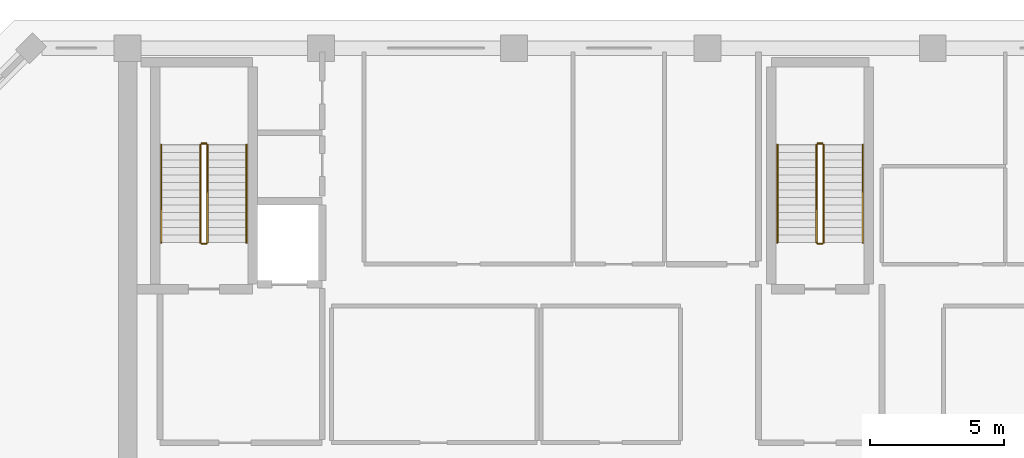
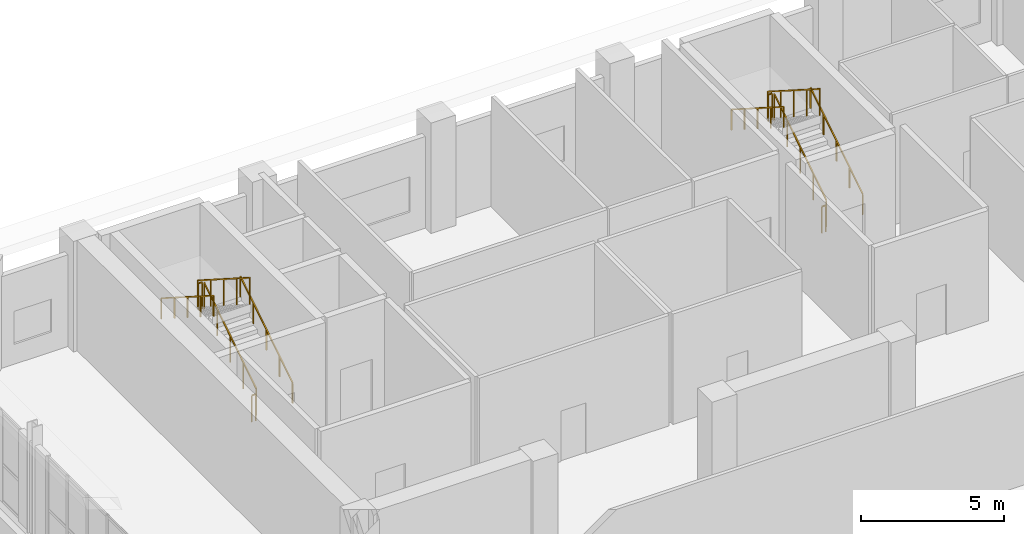
# One storey, part 35 of 36: 12 railings.
"""IFC4 building model written with IfcOpenShell, lengths in metres."""

from ifc_helpers import new_model, si_unit, direction, frame, origin, origin_2d, place, context, subcontext, project, spatial, rectangle, extrude, material, type_object, element, save


model = new_model("IFC4")

# Units and contexts
model_context = context("Model", 3, precision=1e-05, world=origin(), true_north=direction((0.0, 1.0)))
body_context = subcontext(model_context, "Body", "Model", "MODEL_VIEW")
ifc_project = project(units=[si_unit("LENGTHUNIT", "METRE"), si_unit("AREAUNIT", "SQUARE_METRE"), si_unit("VOLUMEUNIT", "CUBIC_METRE"), si_unit("PLANEANGLEUNIT", "RADIAN"), si_unit("MASSUNIT", "GRAM", prefix="KILO")], contexts=[model_context])

# Site, building, storey
site_placement = place(None, origin())
site = spatial("IfcSite", under=ifc_project, at=site_placement, CompositionType="ELEMENT")
building_placement = place(site_placement, origin())
building = spatial("IfcBuilding", under=site, at=building_placement, Name="Kaelvorn Grand Hotel", CompositionType="ELEMENT")
storey_placement = place(building_placement, frame((0.0, 0.0, 305.699951171875)))
storey = spatial("IfcBuildingStorey", under=building, at=storey_placement, Name="L74", CompositionType="ELEMENT", Elevation=305.699951171875)

# Railings
ifc_material = material(Name="Stainless Steel", Category="steel")
railing_type_1 = type_object("IfcRailingType", Name="RL-HANDRAIL-900", PredefinedType="HANDRAIL", material=ifc_material)
railing_1_placement = place(storey_placement, frame((20.6298828125, 41.760009765625, 0.1787109375)))
element("IfcRailing", 1, at=railing_1_placement, inside=storey, type_object=railing_type_1, Name="L74 ST1 stair handrail 1", PredefinedType="HANDRAIL", context=body_context, shape_type="SweptSolid", body=[
    extrude(rectangle(XDim=0.048095703125, YDim=0.048095703125, at=origin_2d()), frame((0.0, 0.0, 0.8759765625), z_axis=(0.0, 0.843137146238, 0.537698570422), x_axis=(-1.0, 0.0, 0.0)), (0.0, 0.0, 1.0), 4.317138671875),
    extrude(rectangle(XDim=0.0419921875, YDim=0.0419921875, at=origin_2d()), origin(), (0.0, 0.0, 1.0), 0.851806640625),
    extrude(rectangle(XDim=0.0419921875, YDim=0.0419921875, at=origin_2d()), frame((0.0, 0.909912109375, 0.580322265625)), (0.0, 0.0, 1.0), 0.851806640625),
    extrude(rectangle(XDim=0.0419921875, YDim=0.0419921875, at=origin_2d()), frame((0.0, 1.81982421875, 1.16064453125)), (0.0, 0.0, 1.0), 0.851806640625),
    extrude(rectangle(XDim=0.0419921875, YDim=0.0419921875, at=origin_2d()), frame((0.0, 2.72998046875, 1.740966796875)), (0.0, 0.0, 1.0), 0.851806640625),
    extrude(rectangle(XDim=0.0419921875, YDim=0.0419921875, at=origin_2d()), frame((0.0, 3.639892578125, 2.3212890625)), (0.0, 0.0, 1.0), 0.851806640625),
])
railing_2_placement = place(storey_placement, frame((17.449951171875, 45.39990234375, 2.6787109375)))
element("IfcRailing", 2, at=railing_2_placement, inside=storey, type_object=railing_type_1, Name="L74 ST1 stair handrail 2", PredefinedType="HANDRAIL", context=body_context, shape_type="SweptSolid", body=[
    extrude(rectangle(XDim=0.048095703125, YDim=0.048095703125, at=origin_2d()), frame((0.0, 0.0, 0.8759765625), z_axis=(0.0, -0.843137146238, 0.537698570422), x_axis=(1.0, 0.0, 0.0)), (0.0, 0.0, 1.0), 4.317138671875),
    extrude(rectangle(XDim=0.0419921875, YDim=0.0419921875, at=origin_2d()), origin(), (0.0, 0.0, 1.0), 0.851806640625),
    extrude(rectangle(XDim=0.0419921875, YDim=0.0419921875, at=origin_2d()), frame((0.0, -0.909912109375, 0.580322265625)), (0.0, 0.0, 1.0), 0.851806640625),
    extrude(rectangle(XDim=0.0419921875, YDim=0.0419921875, at=origin_2d()), frame((0.0, -1.81982421875, 1.16064453125)), (0.0, 0.0, 1.0), 0.851806640625),
    extrude(rectangle(XDim=0.0419921875, YDim=0.0419921875, at=origin_2d()), frame((0.0, -2.72998046875, 1.740966796875)), (0.0, 0.0, 1.0), 0.851806640625),
    extrude(rectangle(XDim=0.0419921875, YDim=0.0419921875, at=origin_2d()), frame((0.0, -3.639892578125, 2.3212890625)), (0.0, 0.0, 1.0), 0.851806640625),
])
railing_3_placement = place(storey_placement, frame((43.590087890625, 41.760009765625, 0.1787109375)))
element("IfcRailing", 3, at=railing_3_placement, inside=storey, type_object=railing_type_1, Name="L74 ST2 stair handrail 1", PredefinedType="HANDRAIL", context=body_context, shape_type="SweptSolid", body=[
    extrude(rectangle(XDim=0.048095703125, YDim=0.048095703125, at=origin_2d()), frame((0.0, 0.0, 0.8759765625), z_axis=(0.0, 0.843137146238, 0.537698570422), x_axis=(-1.0, 0.0, 0.0)), (0.0, 0.0, 1.0), 4.317138671875),
    extrude(rectangle(XDim=0.0419921875, YDim=0.0419921875, at=origin_2d()), origin(), (0.0, 0.0, 1.0), 0.851806640625),
    extrude(rectangle(XDim=0.0419921875, YDim=0.0419921875, at=origin_2d()), frame((0.0, 0.909912109375, 0.580322265625)), (0.0, 0.0, 1.0), 0.851806640625),
    extrude(rectangle(XDim=0.0419921875, YDim=0.0419921875, at=origin_2d()), frame((0.0, 1.81982421875, 1.16064453125)), (0.0, 0.0, 1.0), 0.851806640625),
    extrude(rectangle(XDim=0.0419921875, YDim=0.0419921875, at=origin_2d()), frame((0.0, 2.72998046875, 1.740966796875)), (0.0, 0.0, 1.0), 0.851806640625),
    extrude(rectangle(XDim=0.0419921875, YDim=0.0419921875, at=origin_2d()), frame((0.0, 3.639892578125, 2.3212890625)), (0.0, 0.0, 1.0), 0.851806640625),
])
railing_4_placement = place(storey_placement, frame((40.409912109375, 45.39990234375, 2.6787109375)))
element("IfcRailing", 4, at=railing_4_placement, inside=storey, type_object=railing_type_1, Name="L74 ST2 stair handrail 2", PredefinedType="HANDRAIL", context=body_context, shape_type="SweptSolid", body=[
    extrude(rectangle(XDim=0.048095703125, YDim=0.048095703125, at=origin_2d()), frame((0.0, 0.0, 0.8759765625), z_axis=(0.0, -0.843137146238, 0.537698570422), x_axis=(1.0, 0.0, 0.0)), (0.0, 0.0, 1.0), 4.317138671875),
    extrude(rectangle(XDim=0.0419921875, YDim=0.0419921875, at=origin_2d()), origin(), (0.0, 0.0, 1.0), 0.851806640625),
    extrude(rectangle(XDim=0.0419921875, YDim=0.0419921875, at=origin_2d()), frame((0.0, -0.909912109375, 0.580322265625)), (0.0, 0.0, 1.0), 0.851806640625),
    extrude(rectangle(XDim=0.0419921875, YDim=0.0419921875, at=origin_2d()), frame((0.0, -1.81982421875, 1.16064453125)), (0.0, 0.0, 1.0), 0.851806640625),
    extrude(rectangle(XDim=0.0419921875, YDim=0.0419921875, at=origin_2d()), frame((0.0, -2.72998046875, 1.740966796875)), (0.0, 0.0, 1.0), 0.851806640625),
    extrude(rectangle(XDim=0.0419921875, YDim=0.0419921875, at=origin_2d()), frame((0.0, -3.639892578125, 2.3212890625)), (0.0, 0.0, 1.0), 0.851806640625),
])
railing_type_2 = type_object("IfcRailingType", Name="RL-STAIR-GUARD-1150", PredefinedType="BALUSTRADE", material=ifc_material)
railing_5_placement = place(storey_placement, frame((19.169921875, 41.760009765625, 0.1787109375)))
element("IfcRailing", 5, at=railing_5_placement, inside=storey, type_object=railing_type_2, Name="L74 ST1 stair guard 1", PredefinedType="BALUSTRADE", context=body_context, shape_type="SweptSolid", body=[
    extrude(rectangle(XDim=0.048095703125, YDim=0.048095703125, at=origin_2d()), frame((0.0, 0.0, 1.1259765625), z_axis=(0.0, 0.843137146238, 0.537698570422), x_axis=(-1.0, 0.0, 0.0)), (0.0, 0.0, 1.0), 4.317138671875),
    extrude(rectangle(XDim=0.0419921875, YDim=0.0419921875, at=origin_2d()), origin(), (0.0, 0.0, 1.0), 1.101806640625),
    extrude(rectangle(XDim=0.0419921875, YDim=0.0419921875, at=origin_2d()), frame((0.0, 0.909912109375, 0.580322265625)), (0.0, 0.0, 1.0), 1.101806640625),
    extrude(rectangle(XDim=0.0419921875, YDim=0.0419921875, at=origin_2d()), frame((0.0, 1.81982421875, 1.16064453125)), (0.0, 0.0, 1.0), 1.101806640625),
    extrude(rectangle(XDim=0.0419921875, YDim=0.0419921875, at=origin_2d()), frame((0.0, 2.72998046875, 1.740966796875)), (0.0, 0.0, 1.0), 1.101806640625),
    extrude(rectangle(XDim=0.0419921875, YDim=0.0419921875, at=origin_2d()), frame((0.0, 3.639892578125, 2.3212890625)), (0.0, 0.0, 1.0), 1.101806640625),
])
railing_6_placement = place(storey_placement, frame((19.1201171875, 45.449951171875, 2.5)))
element("IfcRailing", 6, at=railing_6_placement, inside=storey, type_object=railing_type_2, Name="L74 ST1 stair guard 2", PredefinedType="BALUSTRADE", context=body_context, shape_type="SweptSolid", body=[
    extrude(rectangle(XDim=0.048095703125, YDim=0.048095703125, at=origin_2d()), frame((0.0, 0.0, 1.1259765625), z_axis=(-1.0, 0.0, 0.0), x_axis=(0.0, -1.0, 0.0)), (0.0, 0.0, 1.0), 0.16015625),
    extrude(rectangle(XDim=0.0419921875, YDim=0.0419921875, at=origin_2d()), origin(), (0.0, 0.0, 1.0), 1.101806640625),
    extrude(rectangle(XDim=0.0419921875, YDim=0.0419921875, at=origin_2d()), frame((-0.16015625, 0.0, 0.0)), (0.0, 0.0, 1.0), 1.101806640625),
])
railing_7_placement = place(storey_placement, frame((18.909912109375, 45.39990234375, 2.6787109375)))
element("IfcRailing", 7, at=railing_7_placement, inside=storey, type_object=railing_type_2, Name="L74 ST1 stair guard 3", PredefinedType="BALUSTRADE", context=body_context, shape_type="SweptSolid", body=[
    extrude(rectangle(XDim=0.048095703125, YDim=0.048095703125, at=origin_2d()), frame((0.0, 0.0, 1.1259765625), z_axis=(0.0, -0.843137146238, 0.537698570422), x_axis=(1.0, 0.0, 0.0)), (0.0, 0.0, 1.0), 4.317138671875),
    extrude(rectangle(XDim=0.0419921875, YDim=0.0419921875, at=origin_2d()), origin(), (0.0, 0.0, 1.0), 1.101806640625),
    extrude(rectangle(XDim=0.0419921875, YDim=0.0419921875, at=origin_2d()), frame((0.0, -0.909912109375, 0.580322265625)), (0.0, 0.0, 1.0), 1.101806640625),
    extrude(rectangle(XDim=0.0419921875, YDim=0.0419921875, at=origin_2d()), frame((0.0, -1.81982421875, 1.16064453125)), (0.0, 0.0, 1.0), 1.101806640625),
    extrude(rectangle(XDim=0.0419921875, YDim=0.0419921875, at=origin_2d()), frame((0.0, -2.72998046875, 1.740966796875)), (0.0, 0.0, 1.0), 1.101806640625),
    extrude(rectangle(XDim=0.0419921875, YDim=0.0419921875, at=origin_2d()), frame((0.0, -3.639892578125, 2.3212890625)), (0.0, 0.0, 1.0), 1.101806640625),
])
railing_8_placement = place(storey_placement, frame((19.1201171875, 41.7099609375, 0.0)))
element("IfcRailing", 8, at=railing_8_placement, inside=storey, type_object=railing_type_2, Name="L74 ST1 stair guard 4", PredefinedType="BALUSTRADE", context=body_context, shape_type="SweptSolid", body=[
    extrude(rectangle(XDim=0.048095703125, YDim=0.048095703125, at=origin_2d()), frame((0.0, 0.0, 1.1259765625), z_axis=(-1.0, 0.0, 0.0), x_axis=(0.0, -1.0, 0.0)), (0.0, 0.0, 1.0), 0.16015625),
    extrude(rectangle(XDim=0.0419921875, YDim=0.0419921875, at=origin_2d()), origin(), (0.0, 0.0, 1.0), 1.101806640625),
    extrude(rectangle(XDim=0.0419921875, YDim=0.0419921875, at=origin_2d()), frame((-0.16015625, 0.0, 0.0)), (0.0, 0.0, 1.0), 1.101806640625),
])
railing_9_placement = place(storey_placement, frame((42.1298828125, 41.760009765625, 0.1787109375)))
element("IfcRailing", 9, at=railing_9_placement, inside=storey, type_object=railing_type_2, Name="L74 ST2 stair guard 1", PredefinedType="BALUSTRADE", context=body_context, shape_type="SweptSolid", body=[
    extrude(rectangle(XDim=0.048095703125, YDim=0.048095703125, at=origin_2d()), frame((0.0, 0.0, 1.1259765625), z_axis=(0.0, 0.843137146238, 0.537698570422), x_axis=(-1.0, 0.0, 0.0)), (0.0, 0.0, 1.0), 4.317138671875),
    extrude(rectangle(XDim=0.0419921875, YDim=0.0419921875, at=origin_2d()), origin(), (0.0, 0.0, 1.0), 1.101806640625),
    extrude(rectangle(XDim=0.0419921875, YDim=0.0419921875, at=origin_2d()), frame((0.0, 0.909912109375, 0.580322265625)), (0.0, 0.0, 1.0), 1.101806640625),
    extrude(rectangle(XDim=0.0419921875, YDim=0.0419921875, at=origin_2d()), frame((0.0, 1.81982421875, 1.16064453125)), (0.0, 0.0, 1.0), 1.101806640625),
    extrude(rectangle(XDim=0.0419921875, YDim=0.0419921875, at=origin_2d()), frame((0.0, 2.72998046875, 1.740966796875)), (0.0, 0.0, 1.0), 1.101806640625),
    extrude(rectangle(XDim=0.0419921875, YDim=0.0419921875, at=origin_2d()), frame((0.0, 3.639892578125, 2.3212890625)), (0.0, 0.0, 1.0), 1.101806640625),
])
railing_10_placement = place(storey_placement, frame((42.080078125, 45.449951171875, 2.5)))
element("IfcRailing", 10, at=railing_10_placement, inside=storey, type_object=railing_type_2, Name="L74 ST2 stair guard 2", PredefinedType="BALUSTRADE", context=body_context, shape_type="SweptSolid", body=[
    extrude(rectangle(XDim=0.048095703125, YDim=0.048095703125, at=origin_2d()), frame((0.0, 0.0, 1.1259765625), z_axis=(-1.0, 0.0, 0.0), x_axis=(0.0, -1.0, 0.0)), (0.0, 0.0, 1.0), 0.16015625),
    extrude(rectangle(XDim=0.0419921875, YDim=0.0419921875, at=origin_2d()), origin(), (0.0, 0.0, 1.0), 1.101806640625),
    extrude(rectangle(XDim=0.0419921875, YDim=0.0419921875, at=origin_2d()), frame((-0.16015625, 0.0, 0.0)), (0.0, 0.0, 1.0), 1.101806640625),
])
railing_11_placement = place(storey_placement, frame((41.8701171875, 45.39990234375, 2.6787109375)))
element("IfcRailing", 11, at=railing_11_placement, inside=storey, type_object=railing_type_2, Name="L74 ST2 stair guard 3", PredefinedType="BALUSTRADE", context=body_context, shape_type="SweptSolid", body=[
    extrude(rectangle(XDim=0.048095703125, YDim=0.048095703125, at=origin_2d()), frame((0.0, 0.0, 1.1259765625), z_axis=(0.0, -0.843137146238, 0.537698570422), x_axis=(1.0, 0.0, 0.0)), (0.0, 0.0, 1.0), 4.317138671875),
    extrude(rectangle(XDim=0.0419921875, YDim=0.0419921875, at=origin_2d()), origin(), (0.0, 0.0, 1.0), 1.101806640625),
    extrude(rectangle(XDim=0.0419921875, YDim=0.0419921875, at=origin_2d()), frame((0.0, -0.909912109375, 0.580322265625)), (0.0, 0.0, 1.0), 1.101806640625),
    extrude(rectangle(XDim=0.0419921875, YDim=0.0419921875, at=origin_2d()), frame((0.0, -1.81982421875, 1.16064453125)), (0.0, 0.0, 1.0), 1.101806640625),
    extrude(rectangle(XDim=0.0419921875, YDim=0.0419921875, at=origin_2d()), frame((0.0, -2.72998046875, 1.740966796875)), (0.0, 0.0, 1.0), 1.101806640625),
    extrude(rectangle(XDim=0.0419921875, YDim=0.0419921875, at=origin_2d()), frame((0.0, -3.639892578125, 2.3212890625)), (0.0, 0.0, 1.0), 1.101806640625),
])
railing_12_placement = place(storey_placement, frame((42.080078125, 41.7099609375, 0.0)))
element("IfcRailing", 12, at=railing_12_placement, inside=storey, type_object=railing_type_2, Name="L74 ST2 stair guard 4", PredefinedType="BALUSTRADE", context=body_context, shape_type="SweptSolid", body=[
    extrude(rectangle(XDim=0.048095703125, YDim=0.048095703125, at=origin_2d()), frame((0.0, 0.0, 1.1259765625), z_axis=(-1.0, 0.0, 0.0), x_axis=(0.0, -1.0, 0.0)), (0.0, 0.0, 1.0), 0.16015625),
    extrude(rectangle(XDim=0.0419921875, YDim=0.0419921875, at=origin_2d()), origin(), (0.0, 0.0, 1.0), 1.101806640625),
    extrude(rectangle(XDim=0.0419921875, YDim=0.0419921875, at=origin_2d()), frame((-0.16015625, 0.0, 0.0)), (0.0, 0.0, 1.0), 1.101806640625),
])

save(model, "model.ifc")
